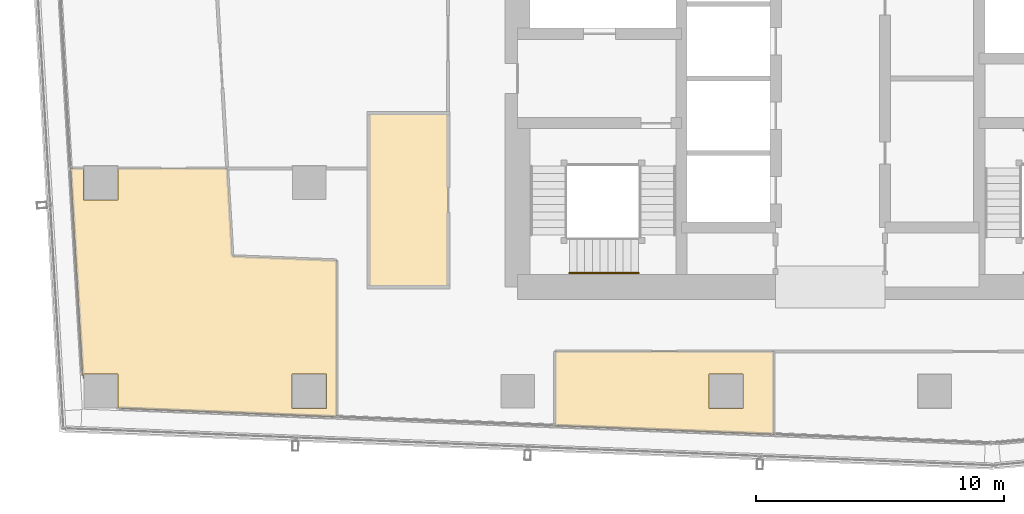
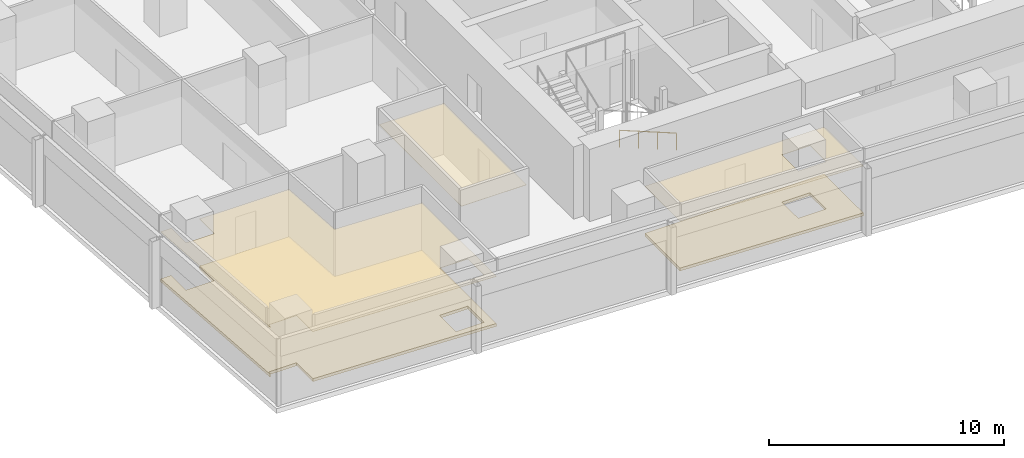
# One storey, part 31 of 39: 5 coverings, 1 railing.
"""IFC4 building model written with IfcOpenShell, lengths in metres."""

from ifc_helpers import new_model, si_unit, direction, frame, origin, origin_2d, place, context, subcontext, project, spatial, polyline, circle, outline, extrude, material, layer, layer_set, type_object, element, save


model = new_model("IFC4")

# Units and contexts
model_context = context("Model", 3, precision=1e-05, world=origin(), true_north=direction((0.0, 1.0)))
body_context = subcontext(model_context, "Body", "Model", "MODEL_VIEW")
ifc_project = project(units=[si_unit("LENGTHUNIT", "METRE"), si_unit("AREAUNIT", "SQUARE_METRE"), si_unit("VOLUMEUNIT", "CUBIC_METRE"), si_unit("PLANEANGLEUNIT", "RADIAN"), si_unit("MASSUNIT", "GRAM", prefix="KILO")], contexts=[model_context])

# Site, building, storey
site_placement = place(None, origin())
site = spatial("IfcSite", under=ifc_project, at=site_placement, CompositionType="ELEMENT")
building_placement = place(site_placement, origin())
building = spatial("IfcBuilding", under=site, at=building_placement, Name="Rekha Terrace Tower", CompositionType="ELEMENT")
storey_placement = place(building_placement, frame((0.0, 0.0, 225.199951171875)))
storey = spatial("IfcBuildingStorey", under=building, at=storey_placement, Name="L57", CompositionType="ELEMENT", Elevation=225.199951171875)

# Coverings
ifc_material_1 = material(Name="Mineral fibre tile in exposed grid", Category="finish")
ifc_layer_1 = layer(ifc_material_1, 0.02001953125)
ifc_layer_set_1 = layer_set([ifc_layer_1], Name="Mineral fibre tile in exposed grid")
covering_type_1 = type_object("IfcCoveringType", Name="CL1 600x1200 office grid ceiling", PredefinedType="CEILING", material=ifc_layer_set_1)
covering_1_placement = place(storey_placement, frame((0.0, 0.0, 2.580078125)))
element("IfcCovering", 1, at=covering_1_placement, inside=storey, type_object=covering_type_1, Name="Ceiling L57-11", PredefinedType="CEILING", context=body_context, shape_type="SweptSolid", body=[
    extrude(outline(polyline([(7.7099609375, 24.510009765625), (7.7099609375, 25.76611328125), (7.18701171875, 25.76611328125), (7.68408203125, 17.319091796875), (7.7099609375, 17.320068359375), (7.7099609375, 17.489990234375), (9.090087890625, 17.489990234375), (9.090087890625, 16.117919921875), (17.89892578125, 15.76611328125), (17.89892578125, 22.071044921875), (13.7060546875, 22.238037109375), (13.498046875, 25.76611328125), (9.090087890625, 25.76611328125), (9.090087890625, 24.510009765625), (7.7099609375, 24.510009765625)]), holes=[polyline([(17.489990234375, 17.489990234375), (17.489990234375, 16.110107421875), (16.110107421875, 16.110107421875), (16.110107421875, 17.489990234375), (17.489990234375, 17.489990234375)])]), origin(), (0.0, 0.0, 1.0), 0.02001953125),
])
covering_2_placement = place(storey_placement, frame((0.0, 0.0, 2.580078125)))
element("IfcCovering", 2, at=covering_2_placement, inside=storey, type_object=covering_type_1, Name="Ceiling L57-12", PredefinedType="CEILING", context=body_context, shape_type="SweptSolid", body=[
    extrude(outline(polyline([(35.507080078125, 15.06298828125), (35.507080078125, 18.39990234375), (26.7041015625, 18.39990234375), (26.7041015625, 15.4150390625), (35.507080078125, 15.06298828125)]), holes=[polyline([(34.2900390625, 16.110107421875), (32.909912109375, 16.110107421875), (32.909912109375, 17.489990234375), (34.2900390625, 17.489990234375), (34.2900390625, 16.110107421875)])]), origin(), (0.0, 0.0, 1.0), 0.02001953125),
])
ifc_material_2 = material(Name="Fibre cement board", Category="finish")
ifc_layer_2 = layer(ifc_material_2, 0.014892578125)
ifc_layer_set_2 = layer_set([ifc_layer_2], Name="Fibre cement board")
covering_type_2 = type_object("IfcCoveringType", Name="CL2 moisture-resistant board ceiling", PredefinedType="CEILING", material=ifc_layer_set_2)
covering_3_placement = place(storey_placement, frame((0.0, 0.0, 2.5849609375)))
element("IfcCovering", 3, at=covering_3_placement, inside=storey, type_object=covering_type_2, Name="Ceiling L57-WCM", PredefinedType="CEILING", context=body_context, shape_type="SweptSolid", body=[
    extrude(outline(polyline([(22.39990234375, 28.0), (19.199951171875, 28.0), (19.199951171875, 21.0), (22.39990234375, 21.0), (22.39990234375, 28.0)])), origin(), (0.0, 0.0, 1.0), 0.01513671875),
])

# Railing
ifc_material_3 = material(Name="Stainless steel tube", Category="steel")
railing_type = type_object("IfcRailingType", Name="HR1 900 stair handrail", PredefinedType="HANDRAIL", material=ifc_material_3)
railing_placement = place(storey_placement, frame((30.074951171875, 21.56005859375, 1.375)))
element("IfcRailing", 4, at=railing_placement, inside=storey, type_object=railing_type, Name="Handrail ST1 L57 flight 2", PredefinedType="HANDRAIL", context=body_context, shape_type="SweptSolid", body=[
    extrude(circle(Radius=0.02392578125, at=origin_2d()), frame((0.0, 0.0, 0.8759765625), z_axis=(-0.927443287984, 0.0, 0.373963831907), x_axis=(0.0, -1.0, 0.0)), (0.0, 0.0, 1.0), 3.00830078125),
    extrude(circle(Radius=0.02099609375, at=origin_2d()), origin(), (0.0, 0.0, 1.0), 0.851806640625),
    extrude(circle(Radius=0.02099609375, at=origin_2d()), frame((-0.929931640625, 0.0, 0.375)), (0.0, 0.0, 1.0), 0.851806640625),
    extrude(circle(Radius=0.02099609375, at=origin_2d()), frame((-1.860107421875, 0.0, 0.75)), (0.0, 0.0, 1.0), 0.851806640625),
    extrude(circle(Radius=0.02099609375, at=origin_2d()), frame((-2.7900390625, 0.0, 1.125)), (0.0, 0.0, 1.0), 0.851806640625),
])

# Coverings
ifc_material_4 = material(Name="Calcium sulphate panels on steel pedestals", Category="steel")
ifc_layer_3 = layer(ifc_material_4, 0.14990234375)
ifc_layer_set_3 = layer_set([ifc_layer_3], Name="Calcium sulphate panels on steel pedestals")
covering_type_3 = type_object("IfcCoveringType", Name="RF1 150 raised access floor", PredefinedType="FLOORING", material=ifc_layer_set_3)
covering_4_placement = place(storey_placement, origin())
element("IfcCovering", 5, at=covering_4_placement, inside=storey, type_object=covering_type_3, Name="Raised floor L57-11", PredefinedType="FLOORING", context=body_context, shape_type="SweptSolid", body=[
    extrude(outline(polyline([(7.7099609375, 24.510009765625), (7.7099609375, 25.76611328125), (7.18701171875, 25.76611328125), (7.68408203125, 17.319091796875), (7.7099609375, 17.320068359375), (7.7099609375, 17.489990234375), (9.090087890625, 17.489990234375), (9.090087890625, 16.117919921875), (17.89892578125, 15.76611328125), (17.89892578125, 22.071044921875), (13.7060546875, 22.238037109375), (13.498046875, 25.76611328125), (9.090087890625, 25.76611328125), (9.090087890625, 24.510009765625), (7.7099609375, 24.510009765625)]), holes=[polyline([(17.489990234375, 17.489990234375), (17.489990234375, 16.110107421875), (16.110107421875, 16.110107421875), (16.110107421875, 17.489990234375), (17.489990234375, 17.489990234375)])]), origin(), (0.0, 0.0, 1.0), 0.150146484375),
])
covering_5_placement = place(storey_placement, origin())
element("IfcCovering", 6, at=covering_5_placement, inside=storey, type_object=covering_type_3, Name="Raised floor L57-12", PredefinedType="FLOORING", context=body_context, shape_type="SweptSolid", body=[
    extrude(outline(polyline([(35.507080078125, 15.06298828125), (35.507080078125, 18.39990234375), (26.7041015625, 18.39990234375), (26.7041015625, 15.4150390625), (35.507080078125, 15.06298828125)]), holes=[polyline([(34.2900390625, 16.110107421875), (32.909912109375, 16.110107421875), (32.909912109375, 17.489990234375), (34.2900390625, 17.489990234375), (34.2900390625, 16.110107421875)])]), origin(), (0.0, 0.0, 1.0), 0.150146484375),
])

save(model, "model.ifc")
